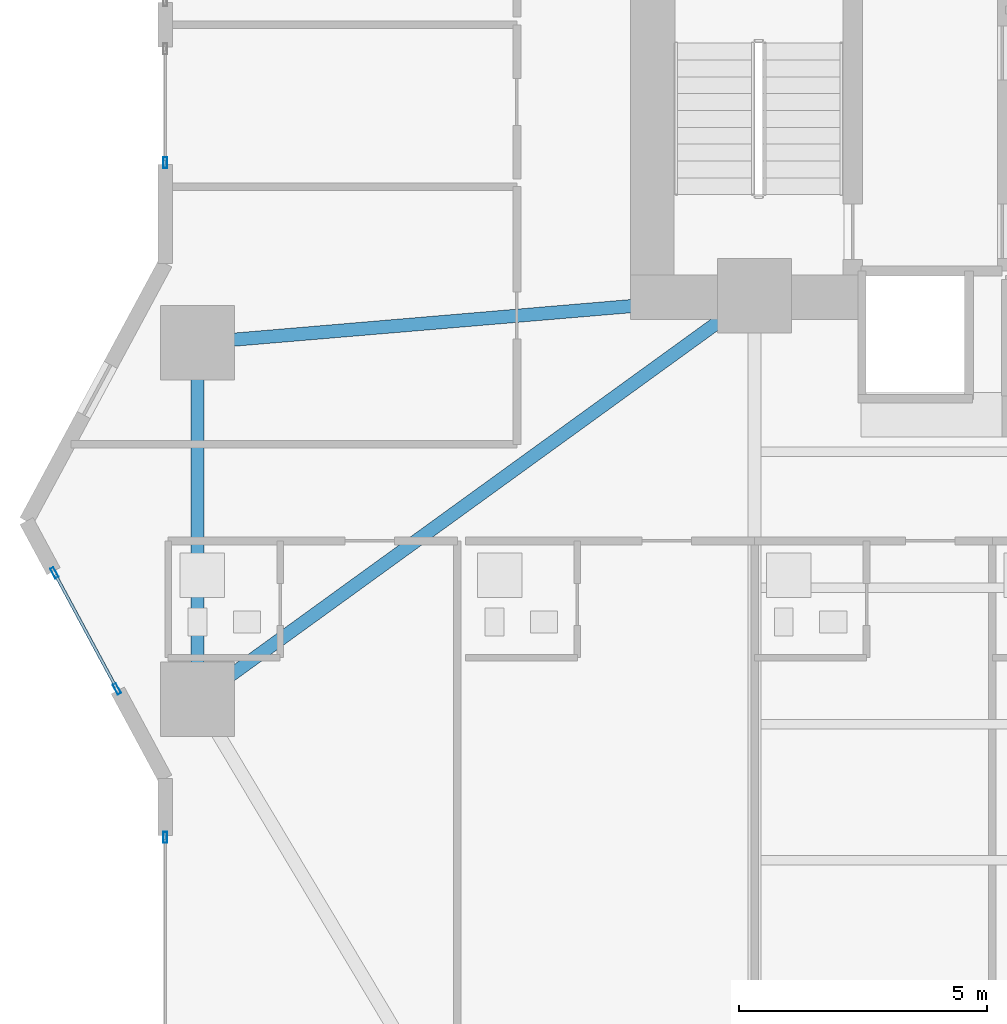
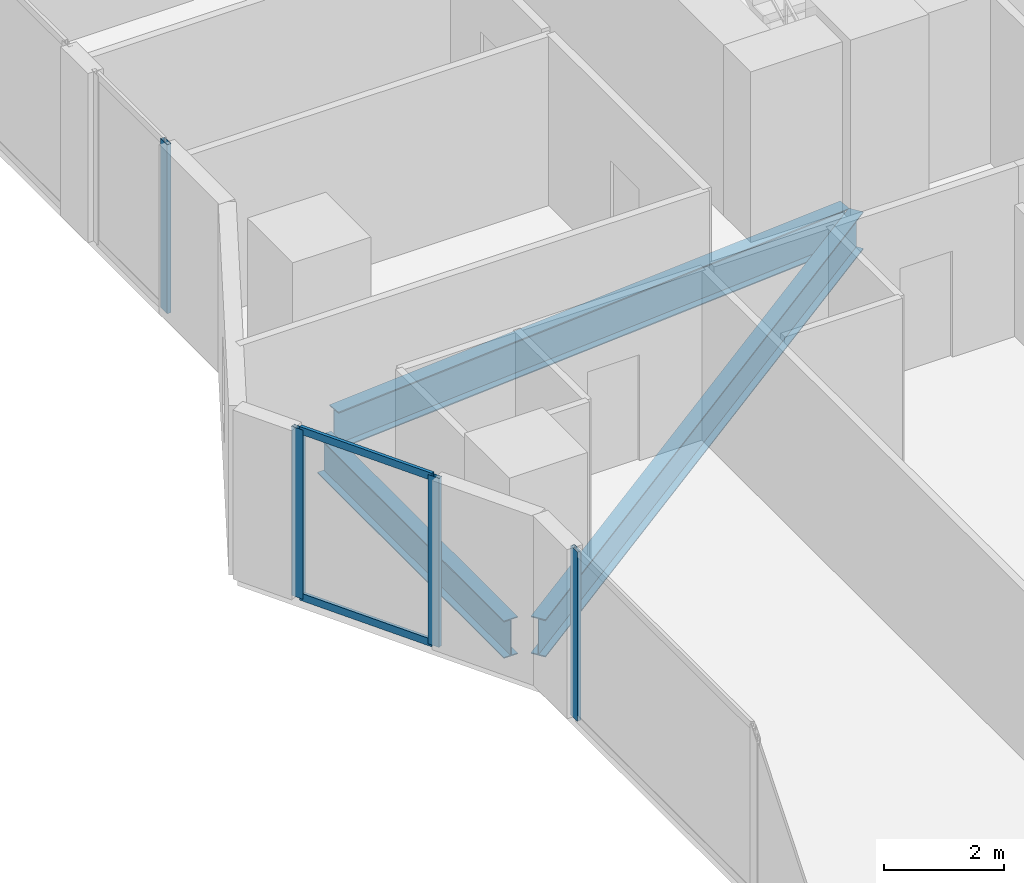
# One storey, part 6 of 29: 6 members, 3 beams, 3 elements without a shape of their own.
"""IFC4 building model written with IfcOpenShell, lengths in metres."""

import ifcopenshell
import ifcopenshell.guid

model = None  # the IFC model being written
_history = None  # IfcOwnerHistory: only IFC2X3 demands one
_inside = {}  # id of a spatial element -> (the spatial element, [elements in it])
_under = {}  # id of a project, library or spatial element -> (it, [spatial elements below it])
_declared = {}  # id of a project -> (the project, [libraries it declares])
_typed = {}  # id of a type object -> (the type object, [elements of that type])
_made_of = {}  # id of a material, layer set ... -> (it, [elements and type objects made of it])


def new_model(schema):
    """Start an empty IFC model of exactly this schema.

    Asked for "IFC4X3", IfcOpenShell would pick the latest addendum, in which some entities
    have other attributes; the version numbers below select the first issue.
    IFC2X3 requires an IfcOwnerHistory on every rooted entity: one is made here for all.
    """
    global model, _history
    if schema == "IFC4X3":
        model = ifcopenshell.file(schema_version=(4, 3, 0, 0))
    else:
        model = ifcopenshell.file(schema=schema)
    _inside.clear()
    _under.clear()
    _declared.clear()
    _typed.clear()
    _made_of.clear()
    _history = None
    if model.schema == "IFC2X3":
        org = make("IfcOrganization", Name="unknown")
        user = make(
            "IfcPersonAndOrganization",
            ThePerson=make("IfcPerson", FamilyName="unknown"),
            TheOrganization=org,
        )
        app = make(
            "IfcApplication",
            ApplicationDeveloper=org,
            Version="unknown",
            ApplicationFullName="unknown",
            ApplicationIdentifier="unknown",
        )
        _history = make(
            "IfcOwnerHistory",
            OwningUser=user,
            OwningApplication=app,
            ChangeAction="ADDED",
            CreationDate=0,
        )
    return model


def make(cls, **values):
    """One entity of the class cls with the attributes given. An attribute that is None is left unset."""
    return model.create_entity(
        cls, **{name: value for name, value in values.items() if value is not None}
    )


def rooted(cls, **values):
    """An entity with a GlobalId (a new one), such as an element, a storey or a relation."""
    return make(cls, GlobalId=ifcopenshell.guid.new(), OwnerHistory=_history, **values)


def si_unit(unit_type, name, prefix=None):
    """IfcSIUnit, for example si_unit("LENGTHUNIT", "METRE", prefix="MILLI")."""
    return make("IfcSIUnit", UnitType=unit_type, Prefix=prefix, Name=name)


def assignment(units):
    """IfcUnitAssignment: the units of a project."""
    return None if units is None else make("IfcUnitAssignment", Units=units)


def point(xyz):
    """IfcCartesianPoint."""
    return None if xyz is None else make("IfcCartesianPoint", Coordinates=xyz)


def direction(xyz):
    """IfcDirection."""
    return None if xyz is None else make("IfcDirection", DirectionRatios=xyz)


def frame(location, z_axis=None, x_axis=None):
    """IfcAxis2Placement3D, a coordinate frame: its origin and axes. An axis left out is left unset."""
    return make(
        "IfcAxis2Placement3D",
        Location=point(location),
        Axis=direction(z_axis),
        RefDirection=direction(x_axis),
    )


def frame_2d(location, x_axis=None):
    """IfcAxis2Placement2D, a coordinate frame in the plane: its origin and x axis."""
    return make(
        "IfcAxis2Placement2D", Location=point(location), RefDirection=direction(x_axis)
    )


def origin():
    """The frame at (0, 0, 0) with its axes left unset."""
    return frame((0.0, 0.0, 0.0))


def origin_2d():
    """The frame at (0, 0) in the plane with its x axis left unset."""
    return frame_2d((0.0, 0.0))


def place(relative_to, where):
    """IfcLocalPlacement: puts the frame where relative to a parent placement (None: the world)."""
    return make(
        "IfcLocalPlacement", PlacementRelTo=relative_to, RelativePlacement=where
    )


def context(
    kind, dimensions, precision=None, world=None, true_north=None, identifier=None
):
    """IfcGeometricRepresentationContext, for example the 3D "Model" context."""
    return make(
        "IfcGeometricRepresentationContext",
        ContextIdentifier=identifier,
        ContextType=kind,
        CoordinateSpaceDimension=dimensions,
        Precision=precision,
        WorldCoordinateSystem=world,
        TrueNorth=true_north,
    )


def subcontext(parent, identifier, kind, view, scale=None):
    """IfcGeometricRepresentationSubContext, for example "Body" below "Model"."""
    return make(
        "IfcGeometricRepresentationSubContext",
        ContextIdentifier=identifier,
        ContextType=kind,
        ParentContext=parent,
        TargetScale=scale,
        TargetView=view,
    )


def project(units=None, contexts=None):
    """IfcProject with its units and contexts."""
    return rooted(
        "IfcProject",
        Name="project",
        RepresentationContexts=contexts,
        UnitsInContext=assignment(units),
    )


def spatial(cls, under=None, at=None, **own):
    """A site, building, storey or space (cls), placed at a placement, below another one or the project."""
    s = rooted(cls, ObjectPlacement=at, **own)
    if under is not None:
        _under.setdefault(under.id(), (under, []))[1].append(s)
    return s


def profile(cls, at=None, kind="AREA", **sizes):
    """A parametric profile (cls). Its sizes go by their IFC names, for example OverallWidth=200.0."""
    return make(cls, ProfileType=kind, Position=at, **sizes)


def hollow_rectangle(**sizes):
    """IfcRectangleHollowProfileDef."""
    return profile("IfcRectangleHollowProfileDef", **sizes)


def i_section(**sizes):
    """IfcIShapeProfileDef."""
    return profile("IfcIShapeProfileDef", **sizes)


def extrude(swept, where, along, depth):
    """IfcExtrudedAreaSolid: the profile swept, set in the frame where, extruded along a direction by depth."""
    return make(
        "IfcExtrudedAreaSolid",
        SweptArea=swept,
        Position=where,
        ExtrudedDirection=direction(along),
        Depth=depth,
    )


def shape(context_of_items, identifier, shape_type, items):
    """IfcShapeRepresentation: the items that make up one representation, for example the "Body"."""
    return make(
        "IfcShapeRepresentation",
        ContextOfItems=context_of_items,
        RepresentationIdentifier=identifier,
        RepresentationType=shape_type,
        Items=items,
    )


def material(Name=None, Category=None):
    """IfcMaterial."""
    return make("IfcMaterial", Name=Name, Category=Category)


def layer(
    of_material, thickness, ventilated=None, Name=None, Category=None, Priority=None
):
    """IfcMaterialLayer: one layer of a wall or slab, of a material (None: an air gap)."""
    return make(
        "IfcMaterialLayer",
        Material=of_material,
        LayerThickness=thickness,
        IsVentilated=ventilated,
        Name=Name,
        Category=Category,
        Priority=Priority,
    )


def layer_set(layers, Name=None):
    """IfcMaterialLayerSet."""
    return make("IfcMaterialLayerSet", MaterialLayers=layers, LayerSetName=Name)


def material_profile(
    of_material, cross_section, Name=None, Category=None, Priority=None
):
    """IfcMaterialProfile: a cross section and its material."""
    return make(
        "IfcMaterialProfile",
        Name=Name,
        Material=of_material,
        Profile=cross_section,
        Priority=Priority,
        Category=Category,
    )


def profile_set(profiles, Name=None, composite=None):
    """IfcMaterialProfileSet."""
    return make(
        "IfcMaterialProfileSet",
        Name=Name,
        MaterialProfiles=profiles,
        CompositeProfile=composite,
    )


def made_of(thing, what):
    """Note that an element or type object is made of a material, layer set ...; save() writes the relation."""
    if what is not None:
        _made_of.setdefault(what.id(), (what, []))[1].append(thing)
    return thing


def type_object(cls, material=None, **own):
    """A type object (cls), such as IfcWallType, which elements share."""
    return made_of(rooted(cls, **own), material)


def element(
    cls,
    number,
    at=None,
    inside=None,
    cuts=None,
    type_object=None,
    material=None,
    context=None,
    identifier="Body",
    shape_type=None,
    held_by="IfcProductDefinitionShape",
    body=None,
    shapes=None,
    **own,
):
    """One element of the class cls, such as IfcWall. Its Tag is "e" and its number.

    at: its placement. inside: the storey or other place that contains it. cuts: it is an
    opening in that element (IfcRelVoidsElement). A single representation is given by context,
    identifier, shape_type and body (its items); several are given by shapes. held_by: the class
    of the entity that holds the representations. save() writes the other relations.
    """
    e = rooted(cls, Tag="e%d" % number, ObjectPlacement=at, **own)
    if body is not None:
        shapes = [shape(context, identifier, shape_type, body)]
    if shapes is not None:
        e.Representation = make(held_by, Representations=shapes)
    if inside is not None:
        _inside.setdefault(inside.id(), (inside, []))[1].append(e)
    if cuts is not None:
        rooted(
            "IfcRelVoidsElement", RelatingBuildingElement=cuts, RelatedOpeningElement=e
        )
    if type_object is not None:
        _typed.setdefault(type_object.id(), (type_object, []))[1].append(e)
    return made_of(e, material)


def aggregate(whole, parts):
    """IfcRelAggregates: a whole, such as a stair, and the parts it consists of."""
    return rooted("IfcRelAggregates", RelatingObject=whole, RelatedObjects=parts)


def save(model, path):
    """Write the relations noted so far, then the file.

    IfcRelAggregates (storeys below a building ...), IfcRelContainedInSpatialStructure (elements
    in a storey), IfcRelDefinesByType, IfcRelAssociatesMaterial and IfcRelDeclares: one each for
    every whole, place, type object, material and project.
    """
    for whole, parts in _under.values():
        aggregate(whole, parts)
    for where, things in _inside.values():
        rooted(
            "IfcRelContainedInSpatialStructure",
            RelatedElements=things,
            RelatingStructure=where,
        )
    for kind, things in _typed.values():
        rooted("IfcRelDefinesByType", RelatedObjects=things, RelatingType=kind)
    for what, things in _made_of.values():
        rooted("IfcRelAssociatesMaterial", RelatedObjects=things, RelatingMaterial=what)
    for by, libraries in _declared.values():
        rooted("IfcRelDeclares", RelatingContext=by, RelatedDefinitions=libraries)
    model.write(path)


model = new_model("IFC4")

# Units and contexts
model_context = context("Model", 3, precision=1e-05, world=origin(), true_north=direction((0.0, 1.0)))
body_context = subcontext(model_context, "Body", "Model", "MODEL_VIEW")
ifc_project = project(units=[si_unit("LENGTHUNIT", "METRE"), si_unit("AREAUNIT", "SQUARE_METRE"), si_unit("VOLUMEUNIT", "CUBIC_METRE"), si_unit("PLANEANGLEUNIT", "RADIAN"), si_unit("MASSUNIT", "GRAM", prefix="KILO")], contexts=[model_context])

# Site, building, storey
site_placement = place(None, origin())
site = spatial("IfcSite", under=ifc_project, at=site_placement, CompositionType="ELEMENT")
building_placement = place(site_placement, origin())
building = spatial("IfcBuilding", under=site, at=building_placement, Name="Zuhayl Quay Hotel", CompositionType="ELEMENT")
storey_placement = place(building_placement, frame((0.0, 0.0, 67.75)))
storey = spatial("IfcBuildingStorey", under=building, at=storey_placement, Name="L16", CompositionType="ELEMENT", Elevation=67.75)

# Beams
ifc_material_1 = material(Name="Steel ASTM A992 Grade 50", Category="steel")
ifc_material_profile_1 = material_profile(ifc_material_1, i_section(OverallWidth=0.26708984375, OverallDepth=0.761962890625, WebThickness=0.014404296875, FlangeThickness=0.021484375, at=origin_2d()), Name="W30X116")
ifc_profile_set_1 = profile_set([ifc_material_profile_1], Name="Steel ASTM A992 Grade 50")
beam_type = type_object("IfcBeamType", Name="BM_B1_W30X116", PredefinedType="BEAM", material=ifc_profile_set_1)
beam_1_placement = place(storey_placement, frame((-25.050048828125, 3.10009765625, -0.60107421875), z_axis=(0.0, -1.0, 0.0), x_axis=(1.0, 0.0, 0.0)))
element("IfcBeam", 1, at=beam_1_placement, inside=storey, type_object=beam_type, Name="L16 Floor Beam RG_L16_11", PredefinedType="BEAM", context=body_context, shape_type="SweptSolid", body=[
    extrude(i_section(OverallWidth=0.26708984375, OverallDepth=0.761962890625, WebThickness=0.014404296875, FlangeThickness=0.021484375, at=origin_2d()), origin(), (0.0, 0.0, 1.0), 6.2001953125),
])
beam_2_placement = place(storey_placement, frame((-24.64501953125, -3.306640625, -0.60107421875), z_axis=(0.809830244688, 0.586664277751, 0.0), x_axis=(-0.586664277751, 0.809830244688, 0.0)))
element("IfcBeam", 2, at=beam_2_placement, inside=storey, type_object=beam_type, Name="L16 Floor Beam FG_W_L16_1", PredefinedType="BEAM", context=body_context, shape_type="SweptSolid", body=[
    extrude(i_section(OverallWidth=0.26708984375, OverallDepth=0.761962890625, WebThickness=0.014404296875, FlangeThickness=0.021484375, at=origin_2d()), origin(), (0.0, 0.0, 1.0), 12.94189453125),
])
beam_3_placement = place(storey_placement, frame((-24.5517578125, 3.64208984375, -0.60107421875), z_axis=(0.996453145398, 0.084149444594, 0.0), x_axis=(-0.084149444594, 0.996453145398, 0.0)))
element("IfcBeam", 3, at=beam_3_placement, inside=storey, type_object=beam_type, Name="L16 Floor Beam FG_W_L16_2", PredefinedType="BEAM", context=body_context, shape_type="SweptSolid", body=[
    extrude(i_section(OverallWidth=0.26708984375, OverallDepth=0.761962890625, WebThickness=0.014404296875, FlangeThickness=0.021484375, at=origin_2d()), origin(), (0.0, 0.0, 1.0), 10.340087890625),
])

# Curtain wall, member
ifc_material_2 = material(Name="Anodised Aluminium 6063-T6", Category="aluminium")
ifc_layer = layer(ifc_material_2, 0.18994140625, Name="Anodised Aluminium 6063-T6", Category="aluminium")
ifc_layer_set = layer_set([ifc_layer], Name="Anodised Aluminium 6063-T6")
curtain_wall_type = type_object("IfcCurtainWallType", Name="CW_SYS_Z1", PredefinedType="USERDEFINED", material=ifc_layer_set)
curtain_wall_1_placement = place(storey_placement, origin())
curtain_wall_1 = element("IfcCurtainWall", 4, at=curtain_wall_1_placement, inside=storey, type_object=curtain_wall_type, Name="L16 Curtain Wall ENV_L16_E02_CW1", ObjectType="UNITISED CURTAIN WALL", PredefinedType="USERDEFINED")
ifc_material_3 = material(Name="Black-anodised aluminium 6063-T6", Category="aluminium")
ifc_material_profile_2 = material_profile(ifc_material_3, hollow_rectangle(XDim=0.074951171875, YDim=0.219970703125, WallThickness=0.00390625, at=origin_2d()), Name="ALU220X75")
ifc_profile_set_2 = profile_set([ifc_material_profile_2], Name="Black-anodised aluminium 6063-T6")
member_type_1 = type_object("IfcMemberType", Name="MB_CW_MUL_220", PredefinedType="MULLION", material=ifc_profile_set_2)
member_1_placement = place(storey_placement, frame((-25.699951171875, -6.387451171875, 0.0), z_axis=(0.0, 0.0, 1.0), x_axis=(-1.0, 0.0, 0.0)))
member_1 = element("IfcMember", 5, at=member_1_placement, type_object=member_type_1, Name="CW-Z1 mullion 3", PredefinedType="MULLION", context=body_context, shape_type="SweptSolid", body=[
    extrude(hollow_rectangle(XDim=0.074951171875, YDim=0.219970703125, WallThickness=0.00390625, at=origin_2d()), origin(), (0.0, 0.0, 1.0), 3.429931640625),
])
aggregate(curtain_wall_1, [member_1])

# Curtain wall, members
curtain_wall_2_placement = place(storey_placement, origin())
curtain_wall_2 = element("IfcCurtainWall", 6, at=curtain_wall_2_placement, inside=storey, type_object=curtain_wall_type, Name="L16 Curtain Wall ENV_L16_E03_CW1", ObjectType="UNITISED CURTAIN WALL", PredefinedType="USERDEFINED")
member_2_placement = place(storey_placement, frame((-26.67578125, -3.387939453125, 0.0), z_axis=(0.0, 0.0, 1.0), x_axis=(-0.880475795468, -0.474091102632, 0.0)))
member_2 = element("IfcMember", 7, at=member_2_placement, type_object=member_type_1, Name="CW-Z1 mullion 1", PredefinedType="MULLION", context=body_context, shape_type="SweptSolid", body=[
    extrude(hollow_rectangle(XDim=0.074951171875, YDim=0.219970703125, WallThickness=0.00390625, at=origin_2d()), origin(), (0.0, 0.0, 1.0), 3.429931640625),
])
member_3_placement = place(storey_placement, frame((-27.93701171875, -1.04541015625, 0.0), z_axis=(0.0, 0.0, 1.0), x_axis=(-0.880475795468, -0.474091102632, 0.0)))
member_3 = element("IfcMember", 8, at=member_3_placement, type_object=member_type_1, Name="CW-Z1 mullion 2", PredefinedType="MULLION", context=body_context, shape_type="SweptSolid", body=[
    extrude(hollow_rectangle(XDim=0.074951171875, YDim=0.219970703125, WallThickness=0.00390625, at=origin_2d()), origin(), (0.0, 0.0, 1.0), 3.429931640625),
])

# Curtain wall, member
curtain_wall_3_placement = place(storey_placement, origin())
curtain_wall_3 = element("IfcCurtainWall", 9, at=curtain_wall_3_placement, inside=storey, type_object=curtain_wall_type, Name="L16 Curtain Wall ENV_L16_E05_CW1", ObjectType="UNITISED CURTAIN WALL", PredefinedType="USERDEFINED")
member_4_placement = place(storey_placement, frame((-25.699951171875, 7.237548828125, 0.0), z_axis=(0.0, 0.0, 1.0), x_axis=(-1.0, 0.0, 0.0)))
member_4 = element("IfcMember", 10, at=member_4_placement, type_object=member_type_1, Name="CW-Z1 mullion 1", PredefinedType="MULLION", context=body_context, shape_type="SweptSolid", body=[
    extrude(hollow_rectangle(XDim=0.074951171875, YDim=0.219970703125, WallThickness=0.00390625, at=origin_2d()), origin(), (0.0, 0.0, 1.0), 3.429931640625),
])
aggregate(curtain_wall_3, [member_4])

# Member
ifc_material_profile_3 = material_profile(ifc_material_3, hollow_rectangle(XDim=0.06005859375, YDim=0.14990234375, WallThickness=0.00341796875, at=origin_2d()), Name="ALU150X60")
ifc_profile_set_3 = profile_set([ifc_material_profile_3], Name="Black-anodised aluminium 6063-T6")
member_type_2 = type_object("IfcMemberType", Name="MB_CW_TRN_150", PredefinedType="USERDEFINED", material=ifc_profile_set_3)
member_5_placement = place(storey_placement, frame((-26.693603515625, -3.35498046875, 0.030029296875), z_axis=(-0.474054771703, 0.880495356845, 0.0), x_axis=(-0.880495356845, -0.474054771703, 0.0)))
member_5 = element("IfcMember", 11, at=member_5_placement, type_object=member_type_2, Name="CW-Z1 transom 1.1", ObjectType="TRANSOM", PredefinedType="USERDEFINED", context=body_context, shape_type="SweptSolid", body=[
    extrude(hollow_rectangle(XDim=0.06005859375, YDim=0.14990234375, WallThickness=0.00341796875, at=origin_2d()), origin(), (0.0, 0.0, 1.0), 2.585205078125),
])

member_6_placement = place(storey_placement, frame((-26.693603515625, -3.35498046875, 3.39990234375), z_axis=(-0.474054771703, 0.880495356845, 0.0), x_axis=(-0.880495356845, -0.474054771703, 0.0)))
member_6 = element("IfcMember", 12, at=member_6_placement, type_object=member_type_2, Name="CW-Z1 transom 1.2", ObjectType="TRANSOM", PredefinedType="USERDEFINED", context=body_context, shape_type="SweptSolid", body=[
    extrude(hollow_rectangle(XDim=0.06005859375, YDim=0.14990234375, WallThickness=0.00341796875, at=origin_2d()), origin(), (0.0, 0.0, 1.0), 2.585205078125),
])

aggregate(curtain_wall_2, [member_2, member_3, member_5, member_6])

save(model, "model.ifc")
